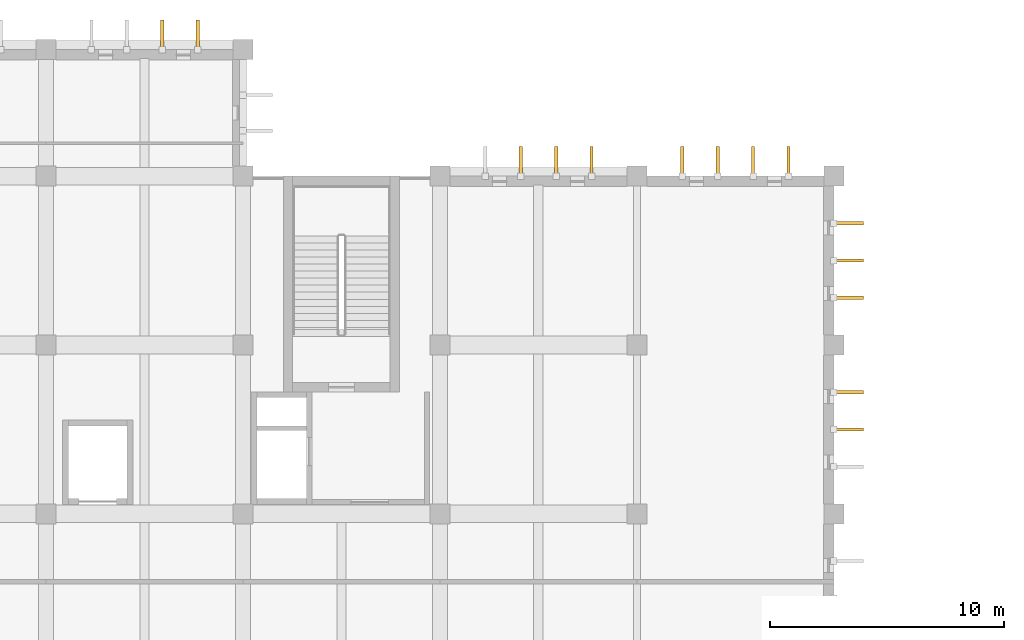
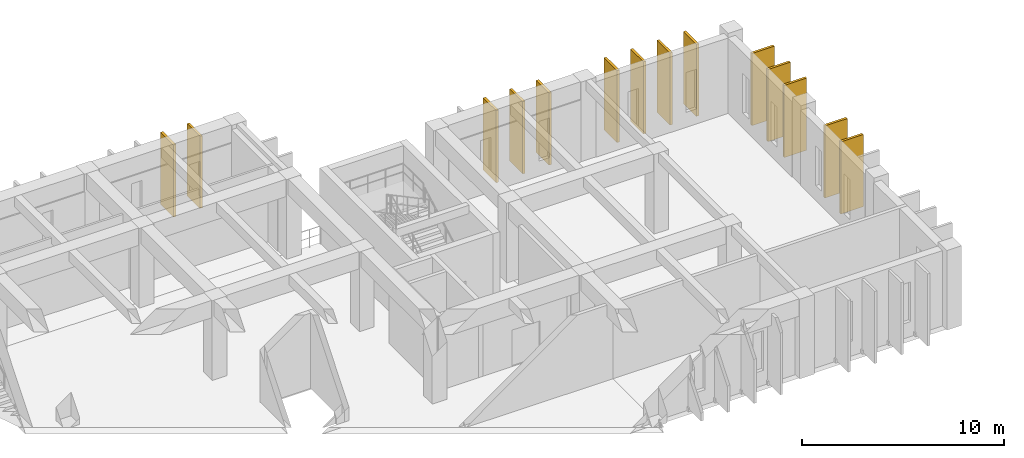
# One storey, part 51 of 51: 14 shading devices.
"""IFC4 building model written with IfcOpenShell, lengths in metres."""

from ifc_helpers import new_model, si_unit, direction, frame, origin, origin_2d, place, context, subcontext, project, spatial, rectangle, extrude, material, type_object, element, save


model = new_model("IFC4")

# Units and contexts
model_context = context("Model", 3, precision=1e-05, world=origin(), true_north=direction((0.0, 1.0)))
body_context = subcontext(model_context, "Body", "Model", "MODEL_VIEW")
ifc_project = project(units=[si_unit("LENGTHUNIT", "METRE"), si_unit("AREAUNIT", "SQUARE_METRE"), si_unit("VOLUMEUNIT", "CUBIC_METRE"), si_unit("PLANEANGLEUNIT", "RADIAN"), si_unit("MASSUNIT", "GRAM", prefix="KILO")], contexts=[model_context])

# Site, building, storey
site_placement = place(None, origin())
site = spatial("IfcSite", under=ifc_project, at=site_placement, CompositionType="ELEMENT")
building_placement = place(site_placement, origin())
building = spatial("IfcBuilding", under=site, at=building_placement, Name="Kenerak Square Central Library", CompositionType="ELEMENT")
storey_placement = place(building_placement, frame((0.0, 0.0, 9.60009765625)))
storey = spatial("IfcBuildingStorey", under=building, at=storey_placement, Name="L02", CompositionType="ELEMENT", Elevation=9.60009765625)

# Shading devices
ifc_material = material(Name="White precast concrete C40/50", Category="concrete")
shading_device_type = type_object("IfcShadingDeviceType", Name="Precast Vertical Solar Fin SF-1280 C40/50", PredefinedType="USERDEFINED", material=ifc_material)
for number, where, z_axis, x_axis, name in (
    (1, (105.35498046875, 116.419921875, 0.099853515625), (0.0, 0.0, 1.0), (1.0, 0.0, 0.0), "Precast Solar Fin FIN-01 L02 0130"),
    (2, (106.864990234375, 116.419921875, 0.099853515625), (0.0, 0.0, 1.0), (1.0, 0.0, 0.0), "Precast Solar Fin FIN-01 L02 0131"),
    (3, (120.64501953125, 111.02001953125, 0.099853515625), (0.0, 0.0, 1.0), (1.0, 0.0, 0.0), "Precast Solar Fin FIN-01 L02 0135"),
    (4, (122.155029296875, 111.02001953125, 0.099853515625), (0.0, 0.0, 1.0), (1.0, 0.0, 0.0), "Precast Solar Fin FIN-01 L02 0136"),
    (5, (123.6650390625, 111.02001953125, 0.099853515625), (0.0, 0.0, 1.0), (1.0, 0.0, 0.0), "Precast Solar Fin FIN-01 L02 0137"),
    (6, (127.534912109375, 111.02001953125, 0.099853515625), (0.0, 0.0, 1.0), (1.0, 0.0, 0.0), "Precast Solar Fin FIN-01 L02 0138"),
    (7, (129.044921875, 111.02001953125, 0.099853515625), (0.0, 0.0, 1.0), (1.0, 0.0, 0.0), "Precast Solar Fin FIN-01 L02 0139"),
    (8, (130.554931640625, 111.02001953125, 0.099853515625), (0.0, 0.0, 1.0), (1.0, 0.0, 0.0), "Precast Solar Fin FIN-01 L02 0140"),
    (9, (132.06494140625, 111.02001953125, 0.099853515625), (0.0, 0.0, 1.0), (1.0, 0.0, 0.0), "Precast Solar Fin FIN-01 L02 0141"),
    (10, (134.6201171875, 108.387451171875, 0.099853515625), (0.0, 0.0, 1.0), (0.0, -1.0, 0.0), "Precast Solar Fin FIN-01 L02 0142"),
    (11, (134.6201171875, 106.800048828125, 0.099853515625), (0.0, 0.0, 1.0), (0.0, -1.0, 0.0), "Precast Solar Fin FIN-01 L02 0143"),
    (12, (134.6201171875, 105.21240234375, 0.099853515625), (0.0, 0.0, 1.0), (0.0, -1.0, 0.0), "Precast Solar Fin FIN-01 L02 0144"),
    (13, (134.6201171875, 101.1875, 0.099853515625), (0.0, 0.0, 1.0), (0.0, -1.0, 0.0), "Precast Solar Fin FIN-01 L02 0145"),
    (14, (134.6201171875, 99.60009765625, 0.099853515625), (0.0, 0.0, 1.0), (0.0, -1.0, 0.0), "Precast Solar Fin FIN-01 L02 0146"),
):
    element("IfcShadingDevice", number, at=place(storey_placement, frame(where, z_axis=z_axis, x_axis=x_axis)), inside=storey, type_object=shading_device_type, Name=name, ObjectType="FIN", PredefinedType="USERDEFINED", context=body_context, shape_type="SweptSolid", body=[
        extrude(rectangle(XDim=0.139892578125, YDim=1.280029296875, at=origin_2d()), origin(), (0.0, 0.0, 1.0), 4.35009765625),
    ])

save(model, "model.ifc")
